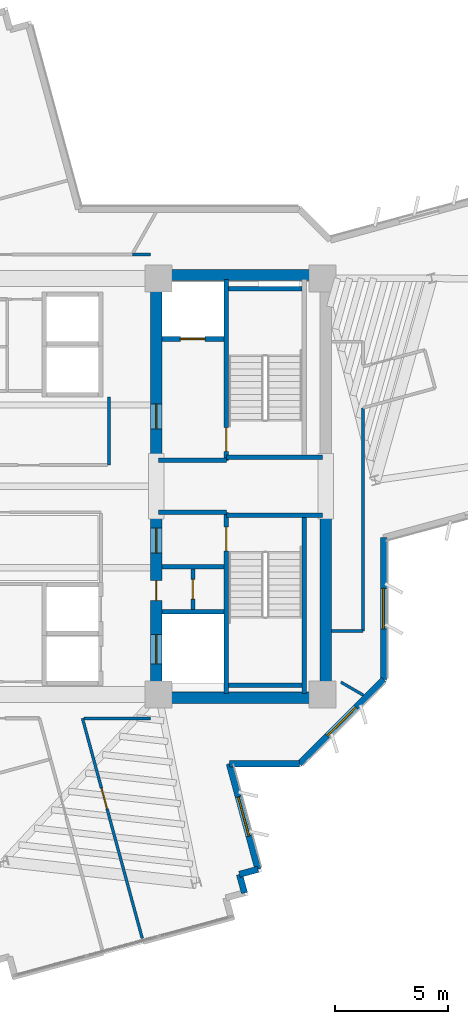
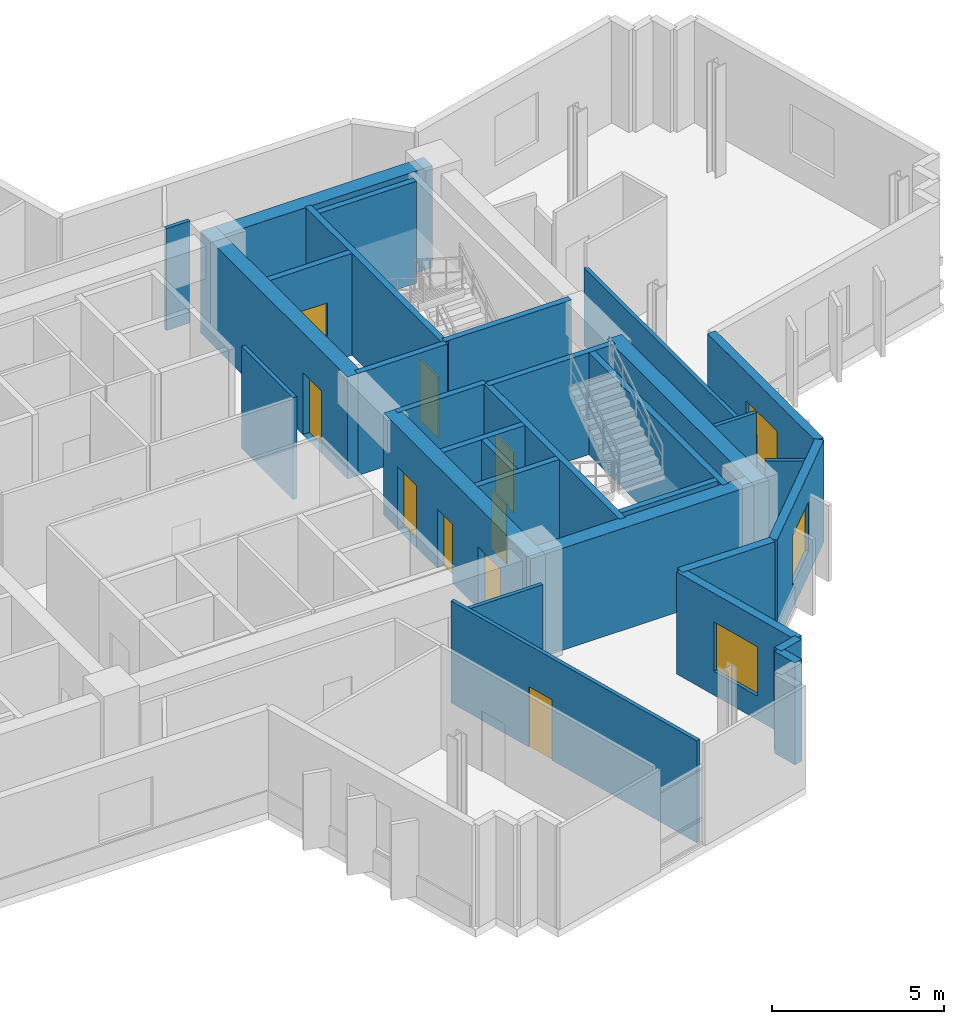
# One storey, part 10 of 15: 31 walls, 9 doors, 3 windows, 12 openings.
"""IFC4 building model written with IfcOpenShell, lengths in metres."""

import ifcopenshell
import ifcopenshell.guid

model = None  # the IFC model being written
_history = None  # IfcOwnerHistory: only IFC2X3 demands one
_inside = {}  # id of a spatial element -> (the spatial element, [elements in it])
_under = {}  # id of a project, library or spatial element -> (it, [spatial elements below it])
_declared = {}  # id of a project -> (the project, [libraries it declares])
_typed = {}  # id of a type object -> (the type object, [elements of that type])
_made_of = {}  # id of a material, layer set ... -> (it, [elements and type objects made of it])


def new_model(schema):
    """Start an empty IFC model of exactly this schema.

    Asked for "IFC4X3", IfcOpenShell would pick the latest addendum, in which some entities
    have other attributes; the version numbers below select the first issue.
    IFC2X3 requires an IfcOwnerHistory on every rooted entity: one is made here for all.
    """
    global model, _history
    if schema == "IFC4X3":
        model = ifcopenshell.file(schema_version=(4, 3, 0, 0))
    else:
        model = ifcopenshell.file(schema=schema)
    _inside.clear()
    _under.clear()
    _declared.clear()
    _typed.clear()
    _made_of.clear()
    _history = None
    if model.schema == "IFC2X3":
        org = make("IfcOrganization", Name="unknown")
        user = make(
            "IfcPersonAndOrganization",
            ThePerson=make("IfcPerson", FamilyName="unknown"),
            TheOrganization=org,
        )
        app = make(
            "IfcApplication",
            ApplicationDeveloper=org,
            Version="unknown",
            ApplicationFullName="unknown",
            ApplicationIdentifier="unknown",
        )
        _history = make(
            "IfcOwnerHistory",
            OwningUser=user,
            OwningApplication=app,
            ChangeAction="ADDED",
            CreationDate=0,
        )
    return model


def make(cls, **values):
    """One entity of the class cls with the attributes given. An attribute that is None is left unset."""
    return model.create_entity(
        cls, **{name: value for name, value in values.items() if value is not None}
    )


def rooted(cls, **values):
    """An entity with a GlobalId (a new one), such as an element, a storey or a relation."""
    return make(cls, GlobalId=ifcopenshell.guid.new(), OwnerHistory=_history, **values)


def si_unit(unit_type, name, prefix=None):
    """IfcSIUnit, for example si_unit("LENGTHUNIT", "METRE", prefix="MILLI")."""
    return make("IfcSIUnit", UnitType=unit_type, Prefix=prefix, Name=name)


def assignment(units):
    """IfcUnitAssignment: the units of a project."""
    return None if units is None else make("IfcUnitAssignment", Units=units)


def point(xyz):
    """IfcCartesianPoint."""
    return None if xyz is None else make("IfcCartesianPoint", Coordinates=xyz)


def direction(xyz):
    """IfcDirection."""
    return None if xyz is None else make("IfcDirection", DirectionRatios=xyz)


def frame(location, z_axis=None, x_axis=None):
    """IfcAxis2Placement3D, a coordinate frame: its origin and axes. An axis left out is left unset."""
    return make(
        "IfcAxis2Placement3D",
        Location=point(location),
        Axis=direction(z_axis),
        RefDirection=direction(x_axis),
    )


def frame_2d(location, x_axis=None):
    """IfcAxis2Placement2D, a coordinate frame in the plane: its origin and x axis."""
    return make(
        "IfcAxis2Placement2D", Location=point(location), RefDirection=direction(x_axis)
    )


def origin():
    """The frame at (0, 0, 0) with its axes left unset."""
    return frame((0.0, 0.0, 0.0))


def place(relative_to, where):
    """IfcLocalPlacement: puts the frame where relative to a parent placement (None: the world)."""
    return make(
        "IfcLocalPlacement", PlacementRelTo=relative_to, RelativePlacement=where
    )


def context(
    kind, dimensions, precision=None, world=None, true_north=None, identifier=None
):
    """IfcGeometricRepresentationContext, for example the 3D "Model" context."""
    return make(
        "IfcGeometricRepresentationContext",
        ContextIdentifier=identifier,
        ContextType=kind,
        CoordinateSpaceDimension=dimensions,
        Precision=precision,
        WorldCoordinateSystem=world,
        TrueNorth=true_north,
    )


def subcontext(parent, identifier, kind, view, scale=None):
    """IfcGeometricRepresentationSubContext, for example "Body" below "Model"."""
    return make(
        "IfcGeometricRepresentationSubContext",
        ContextIdentifier=identifier,
        ContextType=kind,
        ParentContext=parent,
        TargetScale=scale,
        TargetView=view,
    )


def project(units=None, contexts=None):
    """IfcProject with its units and contexts."""
    return rooted(
        "IfcProject",
        Name="project",
        RepresentationContexts=contexts,
        UnitsInContext=assignment(units),
    )


def spatial(cls, under=None, at=None, **own):
    """A site, building, storey or space (cls), placed at a placement, below another one or the project."""
    s = rooted(cls, ObjectPlacement=at, **own)
    if under is not None:
        _under.setdefault(under.id(), (under, []))[1].append(s)
    return s


def profile(cls, at=None, kind="AREA", **sizes):
    """A parametric profile (cls). Its sizes go by their IFC names, for example OverallWidth=200.0."""
    return make(cls, ProfileType=kind, Position=at, **sizes)


def rectangle(**sizes):
    """IfcRectangleProfileDef."""
    return profile("IfcRectangleProfileDef", **sizes)


def extrude(swept, where, along, depth):
    """IfcExtrudedAreaSolid: the profile swept, set in the frame where, extruded along a direction by depth."""
    return make(
        "IfcExtrudedAreaSolid",
        SweptArea=swept,
        Position=where,
        ExtrudedDirection=direction(along),
        Depth=depth,
    )


def shape(context_of_items, identifier, shape_type, items):
    """IfcShapeRepresentation: the items that make up one representation, for example the "Body"."""
    return make(
        "IfcShapeRepresentation",
        ContextOfItems=context_of_items,
        RepresentationIdentifier=identifier,
        RepresentationType=shape_type,
        Items=items,
    )


def source(mapping_origin, context_of_items, identifier, shape_type, items):
    """IfcRepresentationMap: a shape defined once, which mapped items show again and again."""
    return make(
        "IfcRepresentationMap",
        MappingOrigin=mapping_origin,
        MappedRepresentation=shape(context_of_items, identifier, shape_type, items),
    )


def transform(
    local_origin,
    x_axis=None,
    y_axis=None,
    z_axis=None,
    scale=None,
    scale2=None,
    scale3=None,
    uniform=True,
):
    """IfcCartesianTransformationOperator3D, or its non-uniform kind. x_axis, y_axis, z_axis: its Axis1, 2, 3."""
    if uniform:
        return make(
            "IfcCartesianTransformationOperator3D",
            Axis1=direction(x_axis),
            Axis2=direction(y_axis),
            LocalOrigin=point(local_origin),
            Scale=scale,
            Axis3=direction(z_axis),
        )
    return make(
        "IfcCartesianTransformationOperator3DnonUniform",
        Axis1=direction(x_axis),
        Axis2=direction(y_axis),
        LocalOrigin=point(local_origin),
        Scale=scale,
        Axis3=direction(z_axis),
        Scale2=scale2,
        Scale3=scale3,
    )


def mapped(mapping_source, mapping_target):
    """IfcMappedItem: shows the shape of a source again, moved by a transform."""
    return make(
        "IfcMappedItem", MappingSource=mapping_source, MappingTarget=mapping_target
    )


def material(Name=None, Category=None):
    """IfcMaterial."""
    return make("IfcMaterial", Name=Name, Category=Category)


def layer(
    of_material, thickness, ventilated=None, Name=None, Category=None, Priority=None
):
    """IfcMaterialLayer: one layer of a wall or slab, of a material (None: an air gap)."""
    return make(
        "IfcMaterialLayer",
        Material=of_material,
        LayerThickness=thickness,
        IsVentilated=ventilated,
        Name=Name,
        Category=Category,
        Priority=Priority,
    )


def layer_set(layers, Name=None):
    """IfcMaterialLayerSet."""
    return make("IfcMaterialLayerSet", MaterialLayers=layers, LayerSetName=Name)


def made_of(thing, what):
    """Note that an element or type object is made of a material, layer set ...; save() writes the relation."""
    if what is not None:
        _made_of.setdefault(what.id(), (what, []))[1].append(thing)
    return thing


def type_object(cls, material=None, **own):
    """A type object (cls), such as IfcWallType, which elements share."""
    return made_of(rooted(cls, **own), material)


def element(
    cls,
    number,
    at=None,
    inside=None,
    cuts=None,
    type_object=None,
    material=None,
    context=None,
    identifier="Body",
    shape_type=None,
    held_by="IfcProductDefinitionShape",
    body=None,
    shapes=None,
    **own,
):
    """One element of the class cls, such as IfcWall. Its Tag is "e" and its number.

    at: its placement. inside: the storey or other place that contains it. cuts: it is an
    opening in that element (IfcRelVoidsElement). A single representation is given by context,
    identifier, shape_type and body (its items); several are given by shapes. held_by: the class
    of the entity that holds the representations. save() writes the other relations.
    """
    e = rooted(cls, Tag="e%d" % number, ObjectPlacement=at, **own)
    if body is not None:
        shapes = [shape(context, identifier, shape_type, body)]
    if shapes is not None:
        e.Representation = make(held_by, Representations=shapes)
    if inside is not None:
        _inside.setdefault(inside.id(), (inside, []))[1].append(e)
    if cuts is not None:
        rooted(
            "IfcRelVoidsElement", RelatingBuildingElement=cuts, RelatedOpeningElement=e
        )
    if type_object is not None:
        _typed.setdefault(type_object.id(), (type_object, []))[1].append(e)
    return made_of(e, material)


def fill(opening, filler):
    """IfcRelFillsElement: the door or window that sits in an opening."""
    return rooted(
        "IfcRelFillsElement",
        RelatingOpeningElement=opening,
        RelatedBuildingElement=filler,
    )


def aggregate(whole, parts):
    """IfcRelAggregates: a whole, such as a stair, and the parts it consists of."""
    return rooted("IfcRelAggregates", RelatingObject=whole, RelatedObjects=parts)


def save(model, path):
    """Write the relations noted so far, then the file.

    IfcRelAggregates (storeys below a building ...), IfcRelContainedInSpatialStructure (elements
    in a storey), IfcRelDefinesByType, IfcRelAssociatesMaterial and IfcRelDeclares: one each for
    every whole, place, type object, material and project.
    """
    for whole, parts in _under.values():
        aggregate(whole, parts)
    for where, things in _inside.values():
        rooted(
            "IfcRelContainedInSpatialStructure",
            RelatedElements=things,
            RelatingStructure=where,
        )
    for kind, things in _typed.values():
        rooted("IfcRelDefinesByType", RelatedObjects=things, RelatingType=kind)
    for what, things in _made_of.values():
        rooted("IfcRelAssociatesMaterial", RelatedObjects=things, RelatingMaterial=what)
    for by, libraries in _declared.values():
        rooted("IfcRelDeclares", RelatingContext=by, RelatedDefinitions=libraries)
    model.write(path)


model = new_model("IFC4")

# Units and contexts
model_context = context("Model", 3, precision=1e-05, world=origin(), true_north=direction((0.0, 1.0)))
body_context = subcontext(model_context, "Body", "Model", "MODEL_VIEW")
ifc_project = project(units=[si_unit("LENGTHUNIT", "METRE"), si_unit("AREAUNIT", "SQUARE_METRE"), si_unit("VOLUMEUNIT", "CUBIC_METRE"), si_unit("PLANEANGLEUNIT", "RADIAN"), si_unit("MASSUNIT", "GRAM", prefix="KILO")], contexts=[model_context])

# Site, building, storey
site_placement = place(None, origin())
site = spatial("IfcSite", under=ifc_project, at=site_placement, CompositionType="ELEMENT")
building_placement = place(site_placement, origin())
building = spatial("IfcBuilding", under=site, at=building_placement, Name="Zahravan Cultural Tower", CompositionType="ELEMENT")
storey_placement = place(building_placement, frame((0.0, 0.0, 194.10009765625)))
storey = spatial("IfcBuildingStorey", under=building, at=storey_placement, Name="L45", CompositionType="ELEMENT", Elevation=194.10009765625)

# Wall, openings, doors
ifc_material_1 = material(Name="Concrete C60/75", Category="concrete")
ifc_layer_1 = layer(ifc_material_1, 0.5)
ifc_layer_set_1 = layer_set([ifc_layer_1], Name="Concrete C60/75")
wall_type_1 = type_object("IfcWallType", Name="CW-SHEAR-500-C60", PredefinedType="SHEAR", material=ifc_layer_set_1)
wall_1_placement = place(storey_placement, frame((43.0, 17.39990234375, 0.0), z_axis=(0.0, 0.0, 1.0), x_axis=(0.0, 1.0, 0.0)))
wall_1 = element("IfcWall", 1, at=wall_1_placement, inside=storey, type_object=wall_type_1, Name="L45 Core Shear Wall CW-E-WS-L45", PredefinedType="SHEAR", context=body_context, shape_type="SweptSolid", body=[
    extrude(rectangle(XDim=8.550048828125, YDim=0.5, at=frame_2d((4.27490234375, 0.0))), origin(), (0.0, 0.0, 1.0), 3.619873046875),
])
opening_1_placement = place(wall_1_placement, frame((6.64990234375, 0.0, 0.0)))
opening_1 = element("IfcOpeningElement", 2, at=opening_1_placement, cuts=wall_1, Name="Opening D-L45-08", PredefinedType="OPENING", context=body_context, shape_type="SweptSolid", body=[
    extrude(rectangle(XDim=1.10009765625, YDim=2.199951171875, at=frame_2d((0.550048828125, 1.10009765625))), frame((0.0, 0.260009765625, 0.0), z_axis=(0.0, -1.0, 0.0), x_axis=(1.0, 0.0, 0.0)), (0.0, 0.0, 1.0), 0.52001953125),
])
opening_2_placement = place(wall_1_placement, frame((1.75, 0.0, 0.0)))
opening_2 = element("IfcOpeningElement", 3, at=opening_2_placement, cuts=wall_1, Name="Opening LD-L45-03", PredefinedType="OPENING", context=body_context, shape_type="SweptSolid", body=[
    extrude(rectangle(XDim=1.300048828125, YDim=2.199951171875, at=frame_2d((0.64990234375, 1.10009765625))), frame((0.0, 0.260009765625, 0.0), z_axis=(0.0, -1.0, 0.0), x_axis=(1.0, 0.0, 0.0)), (0.0, 0.0, 1.0), 0.52001953125),
])
opening_3_placement = place(wall_1_placement, frame((4.550048828125, 0.0, 0.0)))
opening_3 = element("IfcOpeningElement", 4, at=opening_3_placement, cuts=wall_1, Name="Opening D-L45-11", PredefinedType="OPENING", context=body_context, shape_type="SweptSolid", body=[
    extrude(rectangle(XDim=0.8798828125, YDim=2.10009765625, at=frame_2d((0.43994140625, 1.050048828125))), frame((0.0, 0.260009765625, 0.0), z_axis=(0.0, -1.0, 0.0), x_axis=(1.0, 0.0, 0.0)), (0.0, 0.0, 1.0), 0.52001953125),
])
ifc_material_2 = material(Name="Steel ASTM A572 Grade 50", Category="steel")
door_type_1 = type_object("IfcDoorType", Name="DR-LOBBY-1100", OperationType="NOTDEFINED", PredefinedType="DOOR", material=ifc_material_2)
shared_shape_1 = source(origin(), body_context, "Body", "SweptSolid", [
    extrude(rectangle(XDim=1.10009765625, YDim=2.199951171875, at=frame_2d((0.550048828125, 1.10009765625))), frame((0.0, 0.02490234375, 0.0), z_axis=(0.0, -1.0, 0.0), x_axis=(1.0, 0.0, 0.0)), (0.0, 0.0, 1.0), 0.050048828125),
])
door_1_placement = place(opening_1_placement, origin())
door_1 = element("IfcDoor", 5, at=door_1_placement, inside=storey, type_object=door_type_1, Name="L45 Door D-L45-08", OperationType="SINGLE_SWING_RIGHT", OverallHeight=2.199951171875, OverallWidth=1.10009765625, PredefinedType="DOOR", context=body_context, shape_type="MappedRepresentation", body=[
    mapped(shared_shape_1, transform((0.0, 0.0, 0.0), x_axis=(1.0, 0.0, 0.0), y_axis=(0.0, 1.0, 0.0), z_axis=(0.0, 0.0, 1.0), scale=1.0)),
])
fill(opening_1, door_1)
door_type_2 = type_object("IfcDoorType", Name="DR-LIFT-1300", OperationType="DOUBLE_DOOR_SLIDING", PredefinedType="DOOR", material=ifc_material_2)
shared_shape_2 = source(origin(), body_context, "Body", "SweptSolid", [
    extrude(rectangle(XDim=1.300048828125, YDim=2.199951171875, at=frame_2d((0.64990234375, 1.10009765625))), frame((0.0, 0.02490234375, 0.0), z_axis=(0.0, -1.0, 0.0), x_axis=(1.0, 0.0, 0.0)), (0.0, 0.0, 1.0), 0.050048828125),
])
door_2_placement = place(opening_2_placement, origin())
door_2 = element("IfcDoor", 6, at=door_2_placement, inside=storey, type_object=door_type_2, Name="L45 Door LD-L45-03", OperationType="DOUBLE_DOOR_SLIDING", OverallHeight=2.199951171875, OverallWidth=1.300048828125, PredefinedType="DOOR", context=body_context, shape_type="MappedRepresentation", body=[
    mapped(shared_shape_2, transform((0.0, 0.0, 0.0), x_axis=(1.0, 0.0, 0.0), y_axis=(0.0, 1.0, 0.0), z_axis=(0.0, 0.0, 1.0), scale=1.0)),
])
fill(opening_2, door_2)
door_type_3 = type_object("IfcDoorType", Name="DR-SVC-880", OperationType="NOTDEFINED", PredefinedType="DOOR", material=ifc_material_2)
shared_shape_3 = source(origin(), body_context, "Body", "SweptSolid", [
    extrude(rectangle(XDim=0.8798828125, YDim=2.10009765625, at=frame_2d((0.43994140625, 1.050048828125))), frame((0.0, 0.02490234375, 0.0), z_axis=(0.0, -1.0, 0.0), x_axis=(1.0, 0.0, 0.0)), (0.0, 0.0, 1.0), 0.050048828125),
])
door_3_placement = place(opening_3_placement, origin())
door_3 = element("IfcDoor", 7, at=door_3_placement, inside=storey, type_object=door_type_3, Name="L45 Door D-L45-11", OperationType="SINGLE_SWING_LEFT", OverallHeight=2.10009765625, OverallWidth=0.8798828125, PredefinedType="DOOR", context=body_context, shape_type="MappedRepresentation", body=[
    mapped(shared_shape_3, transform((0.0, 0.0, 0.0), x_axis=(1.0, 0.0, 0.0), y_axis=(0.0, 1.0, 0.0), z_axis=(0.0, 0.0, 1.0), scale=1.0)),
])
fill(opening_3, door_3)

# Wall, opening, door
wall_2_placement = place(storey_placement, frame((43.0, 28.050048828125, 0.0), z_axis=(0.0, 0.0, 1.0), x_axis=(0.0, 1.0, 0.0)))
wall_2 = element("IfcWall", 8, at=wall_2_placement, inside=storey, type_object=wall_type_1, Name="L45 Core Shear Wall CW-E-WN-L45", PredefinedType="SHEAR", context=body_context, shape_type="SweptSolid", body=[
    extrude(rectangle(XDim=8.550048828125, YDim=0.5, at=frame_2d((4.27490234375, 0.0))), origin(), (0.0, 0.0, 1.0), 3.619873046875),
])
opening_4_placement = place(wall_2_placement, frame((1.5, 0.0, 0.0)))
opening_4 = element("IfcOpeningElement", 9, at=opening_4_placement, cuts=wall_2, Name="Opening D-L45-06", PredefinedType="OPENING", context=body_context, shape_type="SweptSolid", body=[
    extrude(rectangle(XDim=1.10009765625, YDim=2.199951171875, at=frame_2d((0.550048828125, 1.10009765625))), frame((0.0, 0.260009765625, 0.0), z_axis=(0.0, -1.0, 0.0), x_axis=(1.0, 0.0, 0.0)), (0.0, 0.0, 1.0), 0.52001953125),
])
door_4_placement = place(opening_4_placement, origin())
door_4 = element("IfcDoor", 10, at=door_4_placement, inside=storey, type_object=door_type_1, Name="L45 Door D-L45-06", OperationType="SINGLE_SWING_RIGHT", OverallHeight=2.199951171875, OverallWidth=1.10009765625, PredefinedType="DOOR", context=body_context, shape_type="MappedRepresentation", body=[
    mapped(shared_shape_1, transform((0.0, 0.0, 0.0), x_axis=(1.0, 0.0, 0.0), y_axis=(0.0, 1.0, 0.0), z_axis=(0.0, 0.0, 1.0), scale=1.0)),
])
fill(opening_4, door_4)

# Wall, opening, window
ifc_material_3 = material(Name="Precast concrete C40/50", Category="concrete")
ifc_layer_2 = layer(ifc_material_3, 0.280029296875)
ifc_layer_set_2 = layer_set([ifc_layer_2], Name="Precast concrete C40/50")
wall_type_2 = type_object("IfcWallType", Name="EW-TC-280", PredefinedType="SOLIDWALL", material=ifc_layer_set_2)
wall_3_placement = place(storey_placement, frame((53.06005859375, 24.733642578125, 0.0), z_axis=(0.0, 0.0, 1.0), x_axis=(0.0, -1.0, 0.0)))
wall_3 = element("IfcWall", 11, at=wall_3_placement, inside=storey, type_object=wall_type_2, Name="L45 Exterior Masonry Frame Wall 12", PredefinedType="SOLIDWALL", context=body_context, shape_type="SweptSolid", body=[
    extrude(rectangle(XDim=6.275634765625, YDim=0.280029296875, at=frame_2d((3.1376953125, 0.0))), origin(), (0.0, 0.0, 1.0), 3.619873046875),
])
opening_5_placement = place(wall_3_placement, frame((2.238037109375, 0.0, 0.85009765625)))
opening_5 = element("IfcOpeningElement", 12, at=opening_5_placement, cuts=wall_3, Name="Opening WN-02", PredefinedType="OPENING", context=body_context, shape_type="SweptSolid", body=[
    extrude(rectangle(XDim=1.800048828125, YDim=1.75, at=frame_2d((0.89990234375, 0.875))), frame((0.0, 0.14990234375, 0.0), z_axis=(0.0, -1.0, 0.0), x_axis=(1.0, 0.0, 0.0)), (0.0, 0.0, 1.0), 0.300048828125),
])
ifc_material_4 = material(Name="Low-E solar-control double glazing", Category="glass")
window_type = type_object("IfcWindowType", Name="WN-REC-1800X1750", PartitioningType="DOUBLE_PANEL_VERTICAL", PredefinedType="WINDOW", material=ifc_material_4)
shared_shape_4 = source(origin(), body_context, "Body", "SweptSolid", [
    extrude(rectangle(XDim=1.800048828125, YDim=1.75, at=frame_2d((0.89990234375, 0.875))), frame((0.0, 0.030029296875, 0.0), z_axis=(0.0, -1.0, 0.0), x_axis=(1.0, 0.0, 0.0)), (0.0, 0.0, 1.0), 0.06005859375),
])
window_1_placement = place(opening_5_placement, origin())
window_1 = element("IfcWindow", 13, at=window_1_placement, inside=storey, type_object=window_type, Name="L45 Recessed Solar Window 04", OverallHeight=1.75, OverallWidth=1.800048828125, PartitioningType="DOUBLE_PANEL_VERTICAL", PredefinedType="WINDOW", context=body_context, shape_type="MappedRepresentation", body=[
    mapped(shared_shape_4, transform((0.0, 0.0, 0.0), x_axis=(1.0, 0.0, 0.0), y_axis=(0.0, 1.0, 0.0), z_axis=(0.0, 0.0, 1.0), scale=1.0)),
])
fill(opening_5, window_1)

wall_4_placement = place(storey_placement, frame((53.06005859375, 18.4580078125, 0.0), z_axis=(0.0, 0.0, 1.0), x_axis=(-0.707106781187, -0.707106781187, 0.0)))
wall_4 = element("IfcWall", 14, at=wall_4_placement, inside=storey, type_object=wall_type_2, Name="L45 Exterior Masonry Frame Wall 13", PredefinedType="SOLIDWALL", context=body_context, shape_type="SweptSolid", body=[
    extrude(rectangle(XDim=5.258056640625, YDim=0.280029296875, at=frame_2d((2.62890625, 0.0))), origin(), (0.0, 0.0, 1.0), 3.619873046875),
])
opening_6_placement = place(wall_4_placement, frame((1.72900390625, 0.0, 0.85009765625)))
opening_6 = element("IfcOpeningElement", 15, at=opening_6_placement, cuts=wall_4, Name="Opening WN-02", PredefinedType="OPENING", context=body_context, shape_type="SweptSolid", body=[
    extrude(rectangle(XDim=1.800048828125, YDim=1.75, at=frame_2d((0.89990234375, 0.875))), frame((0.0, 0.14990234375, 0.0), z_axis=(0.0, -1.0, 0.0), x_axis=(1.0, 0.0, 0.0)), (0.0, 0.0, 1.0), 0.300048828125),
])
window_2_placement = place(opening_6_placement, origin())
window_2 = element("IfcWindow", 16, at=window_2_placement, inside=storey, type_object=window_type, Name="L45 Recessed Solar Window 05", OverallHeight=1.75, OverallWidth=1.800048828125, PartitioningType="DOUBLE_PANEL_VERTICAL", PredefinedType="WINDOW", context=body_context, shape_type="MappedRepresentation", body=[
    mapped(shared_shape_4, transform((0.0, 0.0, 0.0), x_axis=(1.0, 0.0, 0.0), y_axis=(0.0, 1.0, 0.0), z_axis=(0.0, 0.0, 1.0), scale=1.0)),
])
fill(opening_6, window_2)

wall_5_placement = place(storey_placement, frame((46.232421875, 14.739990234375, 0.0), z_axis=(0.0, 0.0, 1.0), x_axis=(0.262175182741, -0.965020296965, 0.0)))
wall_5 = element("IfcWall", 17, at=wall_5_placement, inside=storey, type_object=wall_type_2, Name="L45 Exterior Masonry Frame Wall 15", PredefinedType="SOLIDWALL", context=body_context, shape_type="SweptSolid", body=[
    extrude(rectangle(XDim=4.845947265625, YDim=0.280029296875, at=frame_2d((2.4228515625, 0.0))), origin(), (0.0, 0.0, 1.0), 3.619873046875),
])
opening_7_placement = place(wall_5_placement, frame((1.52294921875, 0.0, 0.85009765625)))
opening_7 = element("IfcOpeningElement", 18, at=opening_7_placement, cuts=wall_5, Name="Opening WN-02", PredefinedType="OPENING", context=body_context, shape_type="SweptSolid", body=[
    extrude(rectangle(XDim=1.800048828125, YDim=1.75, at=frame_2d((0.89990234375, 0.875))), frame((0.0, 0.14990234375, 0.0), z_axis=(0.0, -1.0, 0.0), x_axis=(1.0, 0.0, 0.0)), (0.0, 0.0, 1.0), 0.300048828125),
])
window_3_placement = place(opening_7_placement, origin())
window_3 = element("IfcWindow", 19, at=window_3_placement, inside=storey, type_object=window_type, Name="L45 Recessed Solar Window 06", OverallHeight=1.75, OverallWidth=1.800048828125, PartitioningType="DOUBLE_PANEL_VERTICAL", PredefinedType="WINDOW", context=body_context, shape_type="MappedRepresentation", body=[
    mapped(shared_shape_4, transform((0.0, 0.0, 0.0), x_axis=(1.0, 0.0, 0.0), y_axis=(0.0, 1.0, 0.0), z_axis=(0.0, 0.0, 1.0), scale=1.0)),
])
fill(opening_7, window_3)

# Wall, opening, door
ifc_material_5 = material(Name="Gypsum plasterboard partition")
ifc_layer_3 = layer(ifc_material_5, 0.179931640625)
ifc_layer_set_3 = layer_set([ifc_layer_3], Name="Gypsum plasterboard partition")
wall_type_3 = type_object("IfcWallType", Name="W-COMP-180", PredefinedType="PARTITIONING", material=ifc_layer_set_3)
wall_6_placement = place(storey_placement, frame((44.6201171875, 21.550048828125, 0.0), z_axis=(0.0, 0.0, 1.0), x_axis=(0.0, 1.0, 0.0)))
wall_6 = element("IfcWall", 20, at=wall_6_placement, inside=storey, type_object=wall_type_3, Name="L45 Interior Wall 027", PredefinedType="PARTITIONING", context=body_context, shape_type="SweptSolid", body=[
    extrude(rectangle(XDim=1.800048828125, YDim=0.179931640625, at=frame_2d((0.89990234375, 0.0))), origin(), (0.0, 0.0, 1.0), 3.619873046875),
])
opening_8_placement = place(wall_6_placement, frame((0.4599609375, 0.0, 0.0)))
opening_8 = element("IfcOpeningElement", 21, at=opening_8_placement, cuts=wall_6, Name="Opening D-L45-12", PredefinedType="OPENING", context=body_context, shape_type="SweptSolid", body=[
    extrude(rectangle(XDim=0.8798828125, YDim=2.10009765625, at=frame_2d((0.43994140625, 1.050048828125))), frame((0.0, 0.099853515625, 0.0), z_axis=(0.0, -1.0, 0.0), x_axis=(1.0, 0.0, 0.0)), (0.0, 0.0, 1.0), 0.199951171875),
])
door_5_placement = place(opening_8_placement, origin())
door_5 = element("IfcDoor", 22, at=door_5_placement, inside=storey, type_object=door_type_3, Name="L45 Door D-L45-12", OperationType="SINGLE_SWING_RIGHT", OverallHeight=2.10009765625, OverallWidth=0.8798828125, PredefinedType="DOOR", context=body_context, shape_type="MappedRepresentation", body=[
    mapped(shared_shape_3, transform((0.0, 0.0, 0.0), x_axis=(1.0, 0.0, 0.0), y_axis=(0.0, 1.0, 0.0), z_axis=(0.0, 0.0, 1.0), scale=1.0)),
])
fill(opening_8, door_5)

ifc_layer_4 = layer(ifc_material_5, 0.125)
ifc_layer_set_4 = layer_set([ifc_layer_4], Name="Gypsum plasterboard partition")
wall_type_4 = type_object("IfcWallType", Name="W-PART-125", PredefinedType="PARTITIONING", material=ifc_layer_set_4)
wall_7_placement = place(storey_placement, frame((42.384765625, 7.009765625, 0.0), z_axis=(0.0, 0.0, 1.0), x_axis=(-0.262203523108, 0.965012597052, 0.0)))
wall_7 = element("IfcWall", 23, at=wall_7_placement, inside=storey, type_object=wall_type_4, Name="L45 Interior Wall 087", PredefinedType="PARTITIONING", context=body_context, shape_type="SweptSolid", body=[
    extrude(rectangle(XDim=10.0830078125, YDim=0.125, at=frame_2d((5.04150390625, 0.0))), origin(), (0.0, 0.0, 1.0), 3.619873046875),
])
opening_9_placement = place(wall_7_placement, frame((5.9365234375, 0.0, 0.0)))
opening_9 = element("IfcOpeningElement", 24, at=opening_9_placement, cuts=wall_7, Name="Opening D-L45-27", PredefinedType="OPENING", context=body_context, shape_type="SweptSolid", body=[
    extrude(rectangle(XDim=0.949951171875, YDim=2.14990234375, at=frame_2d((0.47509765625, 1.074951171875))), frame((0.0, 0.072509765625, 0.0), z_axis=(0.0, -1.0, 0.0), x_axis=(1.0, 0.0, 0.0)), (0.0, 0.0, 1.0), 0.14501953125),
])
ifc_material_6 = material(Name="Anodised bronze-aluminium mullion", Category="aluminium")
door_type_4 = type_object("IfcDoorType", Name="DR-ROOM-950", OperationType="NOTDEFINED", PredefinedType="DOOR", material=ifc_material_6)
shared_shape_5 = source(origin(), body_context, "Body", "SweptSolid", [
    extrude(rectangle(XDim=0.949951171875, YDim=2.14990234375, at=frame_2d((0.47509765625, 1.074951171875))), frame((0.0, 0.02490234375, 0.0), z_axis=(0.0, -1.0, 0.0), x_axis=(1.0, 0.0, 0.0)), (0.0, 0.0, 1.0), 0.050048828125),
])
door_6_placement = place(opening_9_placement, origin())
door_6 = element("IfcDoor", 25, at=door_6_placement, inside=storey, type_object=door_type_4, Name="L45 Door D-L45-27", OperationType="SINGLE_SWING_LEFT", OverallHeight=2.14990234375, OverallWidth=0.949951171875, PredefinedType="DOOR", context=body_context, shape_type="MappedRepresentation", body=[
    mapped(shared_shape_5, transform((0.0, 0.0, 0.0), x_axis=(1.0, 0.0, 0.0), y_axis=(0.0, 1.0, 0.0), z_axis=(0.0, 0.0, 1.0), scale=1.0)),
])
fill(opening_9, door_6)

ifc_material_7 = material(Name="Concrete C45/55", Category="concrete")
ifc_layer_5 = layer(ifc_material_7, 0.199951171875)
ifc_layer_set_5 = layer_set([ifc_layer_5], Name="Concrete C45/55")
wall_type_5 = type_object("IfcWallType", Name="W-SHAFT-200", PredefinedType="SOLIDWALL", material=ifc_layer_set_5)
wall_8_placement = place(storey_placement, frame((46.10009765625, 17.85009765625, 0.0), z_axis=(0.0, 0.0, 1.0), x_axis=(0.0, 1.0, 0.0)))
wall_8 = element("IfcWall", 26, at=wall_8_placement, inside=storey, type_object=wall_type_5, Name="L45 Interior Wall 007", PredefinedType="SOLIDWALL", context=body_context, shape_type="SweptSolid", body=[
    extrude(rectangle(XDim=8.0, YDim=0.199951171875, at=frame_2d((4.0, 0.0))), origin(), (0.0, 0.0, 1.0), 3.619873046875),
])
opening_10_placement = place(wall_8_placement, frame((6.300048828125, 0.0, 0.0)))
opening_10 = element("IfcOpeningElement", 27, at=opening_10_placement, cuts=wall_8, Name="Opening D-L45-03", PredefinedType="OPENING", context=body_context, shape_type="SweptSolid", body=[
    extrude(rectangle(XDim=1.050048828125, YDim=2.14990234375, at=frame_2d((0.52490234375, 1.074951171875))), frame((0.0, 0.10986328125, 0.0), z_axis=(0.0, -1.0, 0.0), x_axis=(1.0, 0.0, 0.0)), (0.0, 0.0, 1.0), 0.219970703125),
])
door_type_5 = type_object("IfcDoorType", Name="DR-STAIR-1050", OperationType="NOTDEFINED", PredefinedType="DOOR", material=ifc_material_2)
shared_shape_6 = source(origin(), body_context, "Body", "SweptSolid", [
    extrude(rectangle(XDim=1.050048828125, YDim=2.14990234375, at=frame_2d((0.52490234375, 1.074951171875))), frame((0.0, 0.02490234375, 0.0), z_axis=(0.0, -1.0, 0.0), x_axis=(1.0, 0.0, 0.0)), (0.0, 0.0, 1.0), 0.050048828125),
])
door_7_placement = place(opening_10_placement, origin())
door_7 = element("IfcDoor", 28, at=door_7_placement, inside=storey, type_object=door_type_5, Name="L45 Door D-L45-03", OperationType="SINGLE_SWING_LEFT", OverallHeight=2.14990234375, OverallWidth=1.050048828125, PredefinedType="DOOR", context=body_context, shape_type="MappedRepresentation", body=[
    mapped(shared_shape_6, transform((0.0, 0.0, 0.0), x_axis=(1.0, 0.0, 0.0), y_axis=(0.0, 1.0, 0.0), z_axis=(0.0, 0.0, 1.0), scale=1.0)),
])
fill(opening_10, door_7)

wall_9_placement = place(storey_placement, frame((46.10009765625, 28.14990234375, 0.0), z_axis=(0.0, 0.0, 1.0), x_axis=(0.0, 1.0, 0.0)))
wall_9 = element("IfcWall", 29, at=wall_9_placement, inside=storey, type_object=wall_type_5, Name="L45 Interior Wall 008", PredefinedType="SOLIDWALL", context=body_context, shape_type="SweptSolid", body=[
    extrude(rectangle(XDim=8.0, YDim=0.199951171875, at=frame_2d((4.0, 0.0))), origin(), (0.0, 0.0, 1.0), 3.619873046875),
])
opening_11_placement = place(wall_9_placement, frame((0.39990234375, 0.0, 0.0)))
opening_11 = element("IfcOpeningElement", 30, at=opening_11_placement, cuts=wall_9, Name="Opening D-L45-02", PredefinedType="OPENING", context=body_context, shape_type="SweptSolid", body=[
    extrude(rectangle(XDim=1.050048828125, YDim=2.14990234375, at=frame_2d((0.52490234375, 1.074951171875))), frame((0.0, 0.10986328125, 0.0), z_axis=(0.0, -1.0, 0.0), x_axis=(1.0, 0.0, 0.0)), (0.0, 0.0, 1.0), 0.219970703125),
])
door_8_placement = place(opening_11_placement, origin())
door_8 = element("IfcDoor", 31, at=door_8_placement, inside=storey, type_object=door_type_5, Name="L45 Door D-L45-02", OperationType="SINGLE_SWING_RIGHT", OverallHeight=2.14990234375, OverallWidth=1.050048828125, PredefinedType="DOOR", context=body_context, shape_type="MappedRepresentation", body=[
    mapped(shared_shape_6, transform((0.0, 0.0, 0.0), x_axis=(1.0, 0.0, 0.0), y_axis=(0.0, 1.0, 0.0), z_axis=(0.0, 0.0, 1.0), scale=1.0)),
])
fill(opening_11, door_8)

wall_10_placement = place(storey_placement, frame((43.25, 33.52001953125, 0.0), z_axis=(0.0, 0.0, 1.0), x_axis=(1.0, 0.0, 0.0)))
wall_10 = element("IfcWall", 32, at=wall_10_placement, inside=storey, type_object=wall_type_5, Name="L45 Interior Wall 022", PredefinedType="SOLIDWALL", context=body_context, shape_type="SweptSolid", body=[
    extrude(rectangle(XDim=2.75, YDim=0.199951171875, at=frame_2d((1.375, 0.0))), origin(), (0.0, 0.0, 1.0), 3.619873046875),
])
opening_12_placement = place(wall_10_placement, frame((0.820068359375, 0.0, 0.0)))
opening_12 = element("IfcOpeningElement", 33, at=opening_12_placement, cuts=wall_10, Name="Opening LD-L45-02", PredefinedType="OPENING", context=body_context, shape_type="SweptSolid", body=[
    extrude(rectangle(XDim=1.10009765625, YDim=2.14990234375, at=frame_2d((0.550048828125, 1.074951171875))), frame((0.0, 0.10986328125, 0.0), z_axis=(0.0, -1.0, 0.0), x_axis=(1.0, 0.0, 0.0)), (0.0, 0.0, 1.0), 0.219970703125),
])
door_type_6 = type_object("IfcDoorType", Name="DR-LIFT-1100", OperationType="DOUBLE_DOOR_SLIDING", PredefinedType="DOOR", material=ifc_material_2)
shared_shape_7 = source(origin(), body_context, "Body", "SweptSolid", [
    extrude(rectangle(XDim=1.10009765625, YDim=2.14990234375, at=frame_2d((0.550048828125, 1.074951171875))), frame((0.0, 0.02490234375, 0.0), z_axis=(0.0, -1.0, 0.0), x_axis=(1.0, 0.0, 0.0)), (0.0, 0.0, 1.0), 0.050048828125),
])
door_9_placement = place(opening_12_placement, origin())
door_9 = element("IfcDoor", 34, at=door_9_placement, inside=storey, type_object=door_type_6, Name="L45 Door LD-L45-02", OperationType="DOUBLE_DOOR_SLIDING", OverallHeight=2.14990234375, OverallWidth=1.10009765625, PredefinedType="DOOR", context=body_context, shape_type="MappedRepresentation", body=[
    mapped(shared_shape_7, transform((0.0, 0.0, 0.0), x_axis=(1.0, 0.0, 0.0), y_axis=(0.0, 1.0, 0.0), z_axis=(0.0, 0.0, 1.0), scale=1.0)),
])
fill(opening_12, door_9)

# Walls
shared_shape_8 = source(origin(), body_context, "Body", "SweptSolid", [
    extrude(rectangle(XDim=8.550048828125, YDim=0.5, at=frame_2d((4.27490234375, 0.0))), origin(), (0.0, 0.0, 1.0), 3.619873046875),
])
wall_11_placement = place(storey_placement, frame((50.5, 17.39990234375, 0.0), z_axis=(0.0, 0.0, 1.0), x_axis=(0.0, 1.0, 0.0)))
element("IfcWall", 35, at=wall_11_placement, inside=storey, type_object=wall_type_1, Name="L45 Core Shear Wall CW-E-ES-L45", PredefinedType="SHEAR", context=body_context, shape_type="MappedRepresentation", body=[
    mapped(shared_shape_8, transform((0.0, 0.0, 0.0), x_axis=(1.0, 0.0, 0.0), y_axis=(0.0, 1.0, 0.0), z_axis=(0.0, 0.0, 1.0), scale=1.0)),
])
shared_shape_9 = source(origin(), body_context, "Body", "SweptSolid", [
    extrude(rectangle(XDim=7.0, YDim=0.5, at=frame_2d((3.5, 0.0))), origin(), (0.0, 0.0, 1.0), 3.619873046875),
])
for number, where, z_axis, x_axis, name in (
    (36, (43.25, 17.64990234375, 0.0), (0.0, 0.0, 1.0), (1.0, 0.0, 0.0), "L45 Core Shear Wall CW-E-S-L45"),
    (37, (43.25, 36.35009765625, 0.0), (0.0, 0.0, 1.0), (1.0, 0.0, 0.0), "L45 Core Shear Wall CW-E-N-L45"),
):
    element("IfcWall", number, at=place(storey_placement, frame(where, z_axis=z_axis, x_axis=x_axis)), inside=storey, type_object=wall_type_1, Name=name, PredefinedType="SHEAR", context=body_context, shape_type="MappedRepresentation", body=[
        mapped(shared_shape_9, transform((0.0, 0.0, 0.0), x_axis=(1.0, 0.0, 0.0), y_axis=(0.0, 1.0, 0.0), z_axis=(0.0, 0.0, 1.0), scale=1.0)),
    ])
shared_shape_10 = source(origin(), body_context, "Body", "SweptSolid", [
    extrude(rectangle(XDim=0.85009765625, YDim=0.280029296875, at=frame_2d((0.425048828125, 0.0))), origin(), (0.0, 0.0, 1.0), 3.619873046875),
])
for number, where, z_axis, x_axis, name in (
    (38, (47.5029296875, 10.0634765625, 0.0), (0.0, 0.0, 1.0), (-0.965008631059, -0.262218119094, 0.0), "L45 Exterior Masonry Frame Wall 16"),
    (39, (46.6826171875, 9.840576171875, 0.0), (0.0, 0.0, 1.0), (0.262218119094, -0.965008631059, 0.0), "L45 Exterior Masonry Frame Wall 17"),
):
    element("IfcWall", number, at=place(storey_placement, frame(where, z_axis=z_axis, x_axis=x_axis)), inside=storey, type_object=wall_type_2, Name=name, PredefinedType="SOLIDWALL", context=body_context, shape_type="MappedRepresentation", body=[
        mapped(shared_shape_10, transform((0.0, 0.0, 0.0), x_axis=(1.0, 0.0, 0.0), y_axis=(0.0, 1.0, 0.0), z_axis=(0.0, 0.0, 1.0), scale=1.0)),
    ])
shared_shape_11 = source(origin(), body_context, "Body", "SweptSolid", [
    extrude(rectangle(XDim=3.109619140625, YDim=0.280029296875, at=frame_2d((1.5546875, 0.0))), origin(), (0.0, 0.0, 1.0), 3.619873046875),
])
wall_12_placement = place(storey_placement, frame((49.342041015625, 14.739990234375, 0.0), z_axis=(0.0, 0.0, 1.0), x_axis=(-1.0, 0.0, 0.0)))
element("IfcWall", 40, at=wall_12_placement, inside=storey, type_object=wall_type_2, Name="L45 Exterior Masonry Frame Wall 14", PredefinedType="SOLIDWALL", context=body_context, shape_type="MappedRepresentation", body=[
    mapped(shared_shape_11, transform((0.0, 0.0, 0.0), x_axis=(1.0, 0.0, 0.0), y_axis=(0.0, 1.0, 0.0), z_axis=(0.0, 0.0, 1.0), scale=1.0)),
])
shared_shape_12 = source(origin(), body_context, "Body", "SweptSolid", [
    extrude(rectangle(XDim=7.869873046875, YDim=0.199951171875, at=frame_2d((3.93505859375, 0.0))), origin(), (0.0, 0.0, 1.0), 3.619873046875),
])
wall_13_placement = place(storey_placement, frame((49.550048828125, 17.85009765625, 0.0), z_axis=(0.0, 0.0, 1.0), x_axis=(0.0, 1.0, 0.0)))
element("IfcWall", 41, at=wall_13_placement, inside=storey, type_object=wall_type_5, Name="L45 Interior Wall 003", PredefinedType="SOLIDWALL", context=body_context, shape_type="MappedRepresentation", body=[
    mapped(shared_shape_12, transform((0.0, 0.0, 0.0), x_axis=(1.0, 0.0, 0.0), y_axis=(0.0, 1.0, 0.0), z_axis=(0.0, 0.0, 1.0), scale=1.0)),
])
shared_shape_13 = source(origin(), body_context, "Body", "SweptSolid", [
    extrude(rectangle(XDim=4.25, YDim=0.199951171875, at=frame_2d((2.125, 0.0))), origin(), (0.0, 0.0, 1.0), 3.619873046875),
])
for number, where, z_axis, x_axis, name in (
    (42, (46.10009765625, 25.715087890625, 0.0), (0.0, 0.0, 1.0), (1.0, 0.0, 0.0), "L45 Interior Wall 014"),
    (43, (46.10009765625, 28.284912109375, 0.0), (0.0, 0.0, 1.0), (1.0, 0.0, 0.0), "L45 Interior Wall 016"),
):
    element("IfcWall", number, at=place(storey_placement, frame(where, z_axis=z_axis, x_axis=x_axis)), inside=storey, type_object=wall_type_5, Name=name, PredefinedType="SOLIDWALL", context=body_context, shape_type="MappedRepresentation", body=[
        mapped(shared_shape_13, transform((0.0, 0.0, 0.0), x_axis=(1.0, 0.0, 0.0), y_axis=(0.0, 1.0, 0.0), z_axis=(0.0, 0.0, 1.0), scale=1.0)),
    ])
shared_shape_14 = source(origin(), body_context, "Body", "SweptSolid", [
    extrude(rectangle(XDim=3.0, YDim=0.199951171875, at=frame_2d((1.5, 0.0))), origin(), (0.0, 0.0, 1.0), 3.619873046875),
])
for number, where, z_axis, x_axis, name in (
    (44, (43.10009765625, 25.85009765625, 0.0), (0.0, 0.0, 1.0), (1.0, 0.0, 0.0), "L45 Interior Wall 013"),
    (45, (43.10009765625, 28.14990234375, 0.0), (0.0, 0.0, 1.0), (1.0, 0.0, 0.0), "L45 Interior Wall 015"),
):
    element("IfcWall", number, at=place(storey_placement, frame(where, z_axis=z_axis, x_axis=x_axis)), inside=storey, type_object=wall_type_5, Name=name, PredefinedType="SOLIDWALL", context=body_context, shape_type="MappedRepresentation", body=[
        mapped(shared_shape_14, transform((0.0, 0.0, 0.0), x_axis=(1.0, 0.0, 0.0), y_axis=(0.0, 1.0, 0.0), z_axis=(0.0, 0.0, 1.0), scale=1.0)),
    ])
shared_shape_15 = source(origin(), body_context, "Body", "SweptSolid", [
    extrude(rectangle(XDim=3.25, YDim=0.199951171875, at=frame_2d((1.625, 0.0))), origin(), (0.0, 0.0, 1.0), 3.619873046875),
])
for number, where, z_axis, x_axis, name in (
    (46, (46.199951171875, 35.75, 0.0), (0.0, 0.0, 1.0), (1.0, 0.0, 0.0), "L45 Interior Wall 018"),
    (47, (46.199951171875, 18.199951171875, 0.0), (0.0, 0.0, 1.0), (1.0, 0.0, 0.0), "L45 Interior Wall 020"),
):
    element("IfcWall", number, at=place(storey_placement, frame(where, z_axis=z_axis, x_axis=x_axis)), inside=storey, type_object=wall_type_5, Name=name, PredefinedType="SOLIDWALL", context=body_context, shape_type="MappedRepresentation", body=[
        mapped(shared_shape_15, transform((0.0, 0.0, 0.0), x_axis=(1.0, 0.0, 0.0), y_axis=(0.0, 1.0, 0.0), z_axis=(0.0, 0.0, 1.0), scale=1.0)),
    ])
shared_shape_16 = source(origin(), body_context, "Body", "SweptSolid", [
    extrude(rectangle(XDim=2.75, YDim=0.199951171875, at=frame_2d((1.375, 0.0))), origin(), (0.0, 0.0, 1.0), 3.619873046875),
])
for number, where, z_axis, x_axis, name in (
    (48, (43.25, 23.449951171875, 0.0), (0.0, 0.0, 1.0), (1.0, 0.0, 0.0), "L45 Interior Wall 024"),
    (49, (43.25, 21.449951171875, 0.0), (0.0, 0.0, 1.0), (1.0, 0.0, 0.0), "L45 Interior Wall 025"),
):
    element("IfcWall", number, at=place(storey_placement, frame(where, z_axis=z_axis, x_axis=x_axis)), inside=storey, type_object=wall_type_5, Name=name, PredefinedType="SOLIDWALL", context=body_context, shape_type="MappedRepresentation", body=[
        mapped(shared_shape_16, transform((0.0, 0.0, 0.0), x_axis=(1.0, 0.0, 0.0), y_axis=(0.0, 1.0, 0.0), z_axis=(0.0, 0.0, 1.0), scale=1.0)),
    ])
shared_shape_17 = source(origin(), body_context, "Body", "SweptSolid", [
    extrude(rectangle(XDim=3.010009765625, YDim=0.125, at=frame_2d((1.5048828125, 0.0))), origin(), (0.0, 0.0, 1.0), 3.619873046875),
])
wall_14_placement = place(storey_placement, frame((40.919921875, 30.949951171875, 0.0), z_axis=(0.0, 0.0, 1.0), x_axis=(0.0, -1.0, 0.0)))
element("IfcWall", 50, at=wall_14_placement, inside=storey, type_object=wall_type_4, Name="L45 Interior Wall 071", PredefinedType="PARTITIONING", context=body_context, shape_type="MappedRepresentation", body=[
    mapped(shared_shape_17, transform((0.0, 0.0, 0.0), x_axis=(1.0, 0.0, 0.0), y_axis=(0.0, 1.0, 0.0), z_axis=(0.0, 0.0, 1.0), scale=1.0)),
])
shared_shape_18 = source(origin(), body_context, "Body", "SweptSolid", [
    extrude(rectangle(XDim=1.38916015625, YDim=0.125, at=frame_2d((0.694580078125, 0.0))), origin(), (0.0, 0.0, 1.0), 3.619873046875),
])
wall_15_placement = place(storey_placement, frame((50.7548828125, 20.60009765625, 0.0), z_axis=(0.0, 0.0, 1.0), x_axis=(1.0, 0.0, 0.0)))
element("IfcWall", 51, at=wall_15_placement, inside=storey, type_object=wall_type_4, Name="L45 Interior Wall 104", PredefinedType="PARTITIONING", context=body_context, shape_type="MappedRepresentation", body=[
    mapped(shared_shape_18, transform((0.0, 0.0, 0.0), x_axis=(1.0, 0.0, 0.0), y_axis=(0.0, 1.0, 0.0), z_axis=(0.0, 0.0, 1.0), scale=1.0)),
])
shared_shape_19 = source(origin(), body_context, "Body", "SweptSolid", [
    extrude(rectangle(XDim=2.935791015625, YDim=0.125, at=frame_2d((1.4677734375, 0.0))), origin(), (0.0, 0.0, 1.0), 3.14892578125),
])
wall_16_placement = place(storey_placement, frame((39.810791015625, 16.739990234375, 0.0), z_axis=(0.0, 0.0, 1.0), x_axis=(0.999999913555, 0.00041580038, 0.0)))
element("IfcWall", 52, at=wall_16_placement, inside=storey, type_object=wall_type_4, Name="L45 Interior Wall 088", PredefinedType="PARTITIONING", context=body_context, shape_type="MappedRepresentation", body=[
    mapped(shared_shape_19, transform((0.0, 0.0, 0.0), x_axis=(1.0, 0.0, 0.0), y_axis=(0.0, 1.0, 0.0), z_axis=(0.0, 0.0, 1.0), scale=1.0)),
])
shared_shape_20 = source(origin(), body_context, "Body", "SweptSolid", [
    extrude(rectangle(XDim=1.1484375, YDim=0.125, at=frame_2d((0.57421875, 0.0))), origin(), (0.0, 0.0, 1.0), 3.619873046875),
])
wall_17_placement = place(storey_placement, frame((51.169921875, 18.34228515625, 0.0), z_axis=(0.0, 0.0, 1.0), x_axis=(0.865416582459, -0.501053029933, 0.0)))
element("IfcWall", 53, at=wall_17_placement, inside=storey, type_object=wall_type_4, Name="L45 Interior Wall 089", PredefinedType="PARTITIONING", context=body_context, shape_type="MappedRepresentation", body=[
    mapped(shared_shape_20, transform((0.0, 0.0, 0.0), x_axis=(1.0, 0.0, 0.0), y_axis=(0.0, 1.0, 0.0), z_axis=(0.0, 0.0, 1.0), scale=1.0)),
])
shared_shape_21 = source(origin(), body_context, "Body", "SweptSolid", [
    extrude(rectangle(XDim=0.792236328125, YDim=0.125, at=frame_2d((0.39599609375, 0.0))), origin(), (0.0, 0.0, 1.0), 3.619873046875),
])
wall_18_placement = place(storey_placement, frame((42.74755859375, 37.25927734375, 0.0), z_axis=(0.0, 0.0, 1.0), x_axis=(-0.999999572651, 0.000924498835, 0.0)))
element("IfcWall", 54, at=wall_18_placement, inside=storey, type_object=wall_type_4, Name="L45 Interior Wall 103", PredefinedType="PARTITIONING", context=body_context, shape_type="MappedRepresentation", body=[
    mapped(shared_shape_21, transform((0.0, 0.0, 0.0), x_axis=(1.0, 0.0, 0.0), y_axis=(0.0, 1.0, 0.0), z_axis=(0.0, 0.0, 1.0), scale=1.0)),
])
shared_shape_22 = source(origin(), body_context, "Body", "SweptSolid", [
    extrude(rectangle(XDim=9.868408203125, YDim=0.125, at=frame_2d((4.93408203125, 0.0))), origin(), (0.0, 0.0, 1.0), 2.765869140625),
])
wall_19_placement = place(storey_placement, frame((52.149658203125, 20.607666015625, 0.0), z_axis=(0.0, 0.0, 1.0), x_axis=(2.4739616e-05, 0.999999999694, 0.0)))
element("IfcWall", 55, at=wall_19_placement, inside=storey, type_object=wall_type_4, Name="L45 Interior Wall 105", PredefinedType="PARTITIONING", context=body_context, shape_type="MappedRepresentation", body=[
    mapped(shared_shape_22, transform((0.0, 0.0, 0.0), x_axis=(1.0, 0.0, 0.0), y_axis=(0.0, 1.0, 0.0), z_axis=(0.0, 0.0, 1.0), scale=1.0)),
])

save(model, "model.ifc")
